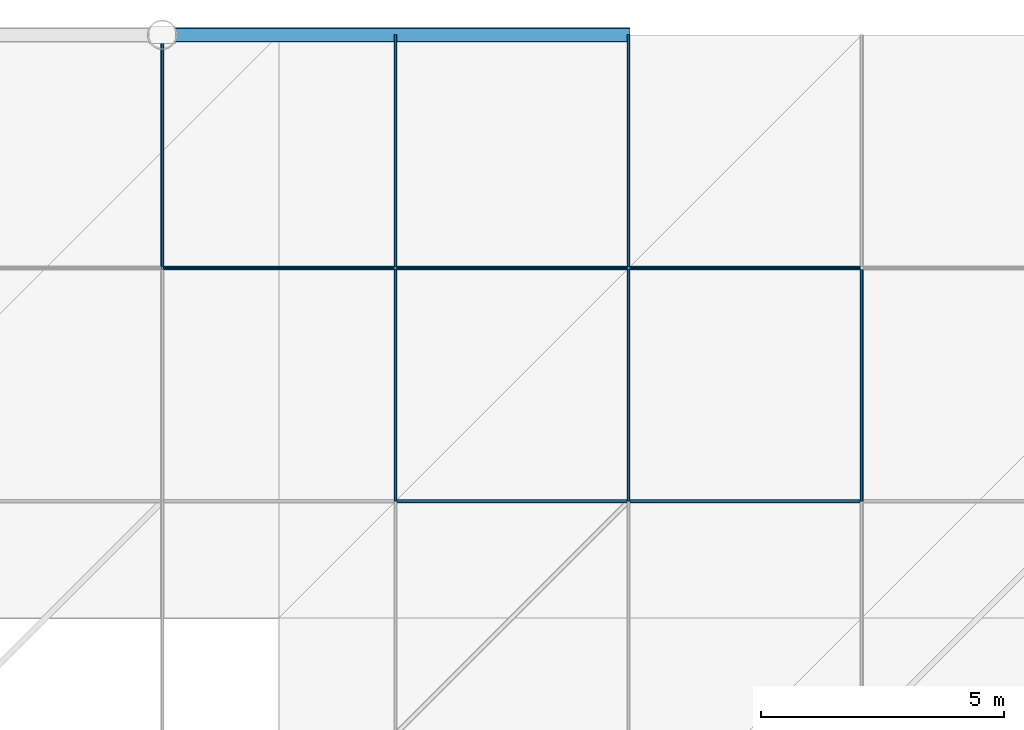
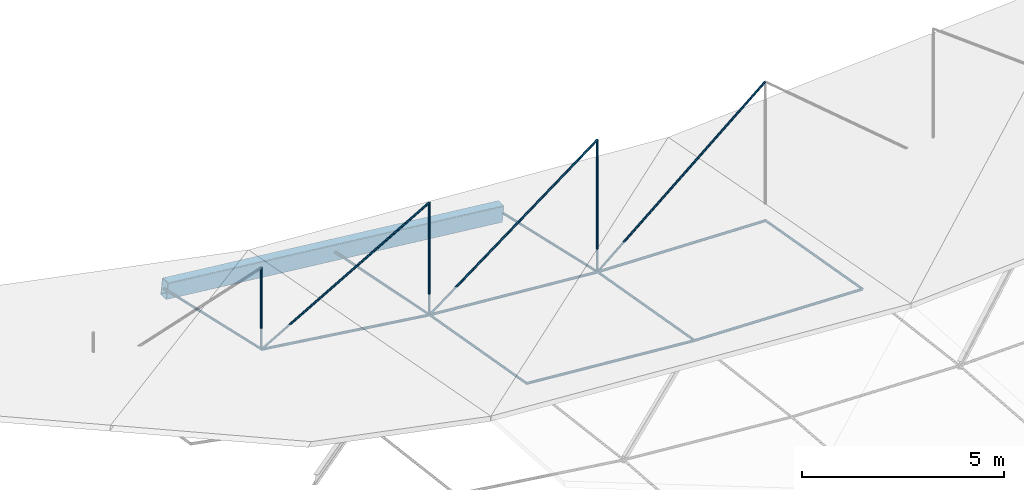
# One storey, part 23 of 40: 17 members, 1 beam.
"""IFC4 building model written with IfcOpenShell, lengths in metres."""

from ifc_helpers import new_model, si_unit, direction, frame, origin, origin_2d, place, context, subcontext, project, spatial, hollow_rectangle, circle, extrude, material, material_profile, profile_set, type_object, element, save


model = new_model("IFC4")

# Units and contexts
model_context = context("Model", 3, precision=1e-05, world=origin(), true_north=direction((0.0, 1.0)))
body_context = subcontext(model_context, "Body", "Model", "MODEL_VIEW")
ifc_project = project(units=[si_unit("LENGTHUNIT", "METRE"), si_unit("AREAUNIT", "SQUARE_METRE"), si_unit("VOLUMEUNIT", "CUBIC_METRE"), si_unit("PLANEANGLEUNIT", "RADIAN"), si_unit("MASSUNIT", "GRAM", prefix="KILO")], contexts=[model_context])

# Site, building, storey
site_placement = place(None, origin())
site = spatial("IfcSite", under=ifc_project, at=site_placement, CompositionType="ELEMENT")
building_placement = place(site_placement, origin())
building = spatial("IfcBuilding", under=site, at=building_placement, Name="Zevrakil Square Congress Hotel", CompositionType="ELEMENT")
storey_placement = place(building_placement, frame((0.0, 0.0, 18.10009765625)))
storey = spatial("IfcBuildingStorey", under=building, at=storey_placement, Name="L05", CompositionType="ELEMENT", Elevation=18.10009765625)

# Members
ifc_material_1 = material(Name="Steel S355", Category="steel")
ifc_material_profile_1 = material_profile(ifc_material_1, circle(Radius=0.030029296875, at=origin_2d()), Name="CABLE RD60")
ifc_profile_set_1 = profile_set([ifc_material_profile_1], Name="Steel S355")
member_type_1 = type_object("IfcMemberType", Name="MEM-CABLE-RD60", PredefinedType="USERDEFINED", material=ifc_profile_set_1)
member_1_placement = place(storey_placement, frame((127.199951171875, 108.0, 1.681884765625), z_axis=(0.0, 0.0, 1.0), x_axis=(1.0, 0.0, 0.0)))
element("IfcMember", 1, at=member_1_placement, inside=storey, type_object=member_type_1, Name="Congress cable-truss vertical tie CBW-09-2", ObjectType="ROOF CABLE", PredefinedType="USERDEFINED", context=body_context, shape_type="SweptSolid", body=[
    extrude(circle(Radius=0.030029296875, at=origin_2d()), origin(), (0.0, 0.0, 1.0), 2.46875),
])
member_2_placement = place(storey_placement, frame((127.199951171875, 108.0, 1.681884765625), z_axis=(0.867079197454, 0.0, 0.498170317605), x_axis=(0.0, 1.0, 0.0)))
element("IfcMember", 2, at=member_2_placement, inside=storey, type_object=member_type_1, Name="Congress cable-truss web diagonal CBD-09-3", ObjectType="ROOF CABLE", PredefinedType="USERDEFINED", context=body_context, shape_type="SweptSolid", body=[
    extrude(circle(Radius=0.030029296875, at=origin_2d()), origin(), (0.0, 0.0, 1.0), 5.535888671875),
])
member_3_placement = place(storey_placement, frame((132.0, 108.0, 1.0419921875), z_axis=(0.0, 0.0, 1.0), x_axis=(1.0, 0.0, 0.0)))
element("IfcMember", 3, at=member_3_placement, inside=storey, type_object=member_type_1, Name="Congress cable-truss vertical tie CBW-09-3", ObjectType="ROOF CABLE", PredefinedType="USERDEFINED", context=body_context, shape_type="SweptSolid", body=[
    extrude(circle(Radius=0.030029296875, at=origin_2d()), origin(), (0.0, 0.0, 1.0), 3.397705078125),
])
member_4_placement = place(storey_placement, frame((132.0, 108.0, 1.0419921875), z_axis=(0.799174909116, 0.0, 0.601098548192), x_axis=(0.0, 1.0, 0.0)))
element("IfcMember", 4, at=member_4_placement, inside=storey, type_object=member_type_1, Name="Congress cable-truss web diagonal CBD-09-4", ObjectType="ROOF CABLE", PredefinedType="USERDEFINED", context=body_context, shape_type="SweptSolid", body=[
    extrude(circle(Radius=0.030029296875, at=origin_2d()), origin(), (0.0, 0.0, 1.0), 6.00634765625),
])
member_5_placement = place(storey_placement, frame((136.800048828125, 108.0, 0.657958984375), z_axis=(0.0, 0.0, 1.0), x_axis=(1.0, 0.0, 0.0)))
element("IfcMember", 5, at=member_5_placement, inside=storey, type_object=member_type_1, Name="Congress cable-truss vertical tie CBW-09-4", ObjectType="ROOF CABLE", PredefinedType="USERDEFINED", context=body_context, shape_type="SweptSolid", body=[
    extrude(circle(Radius=0.030029296875, at=origin_2d()), origin(), (0.0, 0.0, 1.0), 3.994384765625),
])
member_6_placement = place(storey_placement, frame((136.800048828125, 108.0, 0.657958984375), z_axis=(0.76256769405, 0.0, 0.646908426279), x_axis=(0.0, 1.0, 0.0)))
element("IfcMember", 6, at=member_6_placement, inside=storey, type_object=member_type_1, Name="Congress cable-truss web diagonal CBD-09-5", ObjectType="ROOF CABLE", PredefinedType="USERDEFINED", context=body_context, shape_type="SweptSolid", body=[
    extrude(circle(Radius=0.030029296875, at=origin_2d()), origin(), (0.0, 0.0, 1.0), 6.294677734375),
])
ifc_material_2 = material(Name="Steel S355", Category="steel")
ifc_material_profile_2 = material_profile(ifc_material_2, circle(Radius=0.033935546875, at=origin_2d()), Name="CABLE RD68")
ifc_profile_set_2 = profile_set([ifc_material_profile_2], Name="Steel S355")
member_type_2 = type_object("IfcMemberType", Name="MEM-CABLE-RD68", PredefinedType="USERDEFINED", material=ifc_profile_set_2)
member_7_placement = place(storey_placement, frame((127.199951171875, 108.0, 1.69189453125), z_axis=(0.0, 0.975169384168, -0.221460317395), x_axis=(-1.0, 0.0, 0.0)))
element("IfcMember", 7, at=member_7_placement, inside=storey, type_object=member_type_2, Name="Congress saddle stabilizing cable CBH-02 seg 10", ObjectType="ROOF CABLE", PredefinedType="USERDEFINED", context=body_context, shape_type="SweptSolid", body=[
    extrude(circle(Radius=0.033935546875, at=origin_2d()), origin(), (0.0, 0.0, 1.0), 4.92236328125),
])
member_8_placement = place(storey_placement, frame((132.0, 103.199951171875, 1.891845703125), z_axis=(0.0, 0.985036208934, -0.172347518373), x_axis=(-1.0, 0.0, 0.0)))
element("IfcMember", 8, at=member_8_placement, inside=storey, type_object=member_type_2, Name="Congress saddle stabilizing cable CBH-03 seg 9", ObjectType="ROOF CABLE", PredefinedType="USERDEFINED", context=body_context, shape_type="SweptSolid", body=[
    extrude(circle(Radius=0.033935546875, at=origin_2d()), origin(), (0.0, 0.0, 1.0), 4.873046875),
])
member_9_placement = place(storey_placement, frame((132.0, 108.0, 1.052001953125), z_axis=(0.0, 0.980496189328, -0.196538094814), x_axis=(-1.0, 0.0, 0.0)))
element("IfcMember", 9, at=member_9_placement, inside=storey, type_object=member_type_2, Name="Congress saddle stabilizing cable CBH-03 seg 10", ObjectType="ROOF CABLE", PredefinedType="USERDEFINED", context=body_context, shape_type="SweptSolid", body=[
    extrude(circle(Radius=0.033935546875, at=origin_2d()), origin(), (0.0, 0.0, 1.0), 4.8955078125),
])
member_10_placement = place(storey_placement, frame((136.800048828125, 103.199951171875, 1.5078125), z_axis=(0.0, 0.985036208934, -0.172347518373), x_axis=(-1.0, 0.0, 0.0)))
element("IfcMember", 10, at=member_10_placement, inside=storey, type_object=member_type_2, Name="Congress saddle stabilizing cable CBH-04 seg 9", ObjectType="ROOF CABLE", PredefinedType="USERDEFINED", context=body_context, shape_type="SweptSolid", body=[
    extrude(circle(Radius=0.033935546875, at=origin_2d()), origin(), (0.0, 0.0, 1.0), 4.873046875),
])
member_11_placement = place(storey_placement, frame((136.800048828125, 108.0, 0.66796875), z_axis=(0.0, 0.975169384168, -0.221460317395), x_axis=(-1.0, 0.0, 0.0)))
element("IfcMember", 11, at=member_11_placement, inside=storey, type_object=member_type_2, Name="Congress saddle stabilizing cable CBH-04 seg 10", ObjectType="ROOF CABLE", PredefinedType="USERDEFINED", context=body_context, shape_type="SweptSolid", body=[
    extrude(circle(Radius=0.033935546875, at=origin_2d()), origin(), (0.0, 0.0, 1.0), 4.92236328125),
])
member_12_placement = place(storey_placement, frame((141.60009765625, 103.199951171875, 1.3798828125), z_axis=(0.0, 0.98502770223, -0.172396130582), x_axis=(-1.0, 0.0, 0.0)))
element("IfcMember", 12, at=member_12_placement, inside=storey, type_object=member_type_2, Name="Congress saddle stabilizing cable CBH-05 seg 9", ObjectType="ROOF CABLE", PredefinedType="USERDEFINED", context=body_context, shape_type="SweptSolid", body=[
    extrude(circle(Radius=0.033935546875, at=origin_2d()), origin(), (0.0, 0.0, 1.0), 4.873046875),
])
ifc_material_3 = material(Name="Steel S355", Category="steel")
ifc_material_profile_3 = material_profile(ifc_material_3, circle(Radius=0.0380859375, at=origin_2d()), Name="CABLE RD76")
ifc_profile_set_3 = profile_set([ifc_material_profile_3], Name="Steel S355")
member_type_3 = type_object("IfcMemberType", Name="MEM-CABLE-RD76", PredefinedType="USERDEFINED", material=ifc_profile_set_3)
member_13_placement = place(storey_placement, frame((132.0, 103.199951171875, 1.8818359375), z_axis=(0.996814794892, 0.0, -0.079751267604), x_axis=(0.0, 1.0, 0.0)))
element("IfcMember", 13, at=member_13_placement, inside=storey, type_object=member_type_3, Name="Congress saddle carrying cable CBS-08 seg 4", ObjectType="ROOF CABLE", PredefinedType="USERDEFINED", context=body_context, shape_type="SweptSolid", body=[
    extrude(circle(Radius=0.0380859375, at=origin_2d()), origin(), (0.0, 0.0, 1.0), 4.8154296875),
])
member_14_placement = place(storey_placement, frame((136.800048828125, 103.199951171875, 1.497802734375), z_axis=(0.999645031282, 0.0, -0.026642286577), x_axis=(0.0, 1.0, 0.0)))
element("IfcMember", 14, at=member_14_placement, inside=storey, type_object=member_type_3, Name="Congress saddle carrying cable CBS-08 seg 5", ObjectType="ROOF CABLE", PredefinedType="USERDEFINED", context=body_context, shape_type="SweptSolid", body=[
    extrude(circle(Radius=0.0380859375, at=origin_2d()), origin(), (0.0, 0.0, 1.0), 4.8017578125),
])
member_15_placement = place(storey_placement, frame((127.199951171875, 108.0, 1.681884765625), z_axis=(0.99123098262, 0.0, -0.132140603502), x_axis=(0.0, 1.0, 0.0)))
element("IfcMember", 15, at=member_15_placement, inside=storey, type_object=member_type_3, Name="Congress saddle carrying cable CBS-09 seg 3", ObjectType="ROOF CABLE", PredefinedType="USERDEFINED", context=body_context, shape_type="SweptSolid", body=[
    extrude(circle(Radius=0.0380859375, at=origin_2d()), origin(), (0.0, 0.0, 1.0), 4.842529296875),
])
member_16_placement = place(storey_placement, frame((132.0, 108.0, 1.0419921875), z_axis=(0.996814794892, 0.0, -0.079751267604), x_axis=(0.0, 1.0, 0.0)))
element("IfcMember", 16, at=member_16_placement, inside=storey, type_object=member_type_3, Name="Congress saddle carrying cable CBS-09 seg 4", ObjectType="ROOF CABLE", PredefinedType="USERDEFINED", context=body_context, shape_type="SweptSolid", body=[
    extrude(circle(Radius=0.0380859375, at=origin_2d()), origin(), (0.0, 0.0, 1.0), 4.8154296875),
])
member_17_placement = place(storey_placement, frame((136.800048828125, 108.0, 0.657958984375), z_axis=(0.999643675871, 0.0, -0.026693094442), x_axis=(0.0, 1.0, 0.0)))
element("IfcMember", 17, at=member_17_placement, inside=storey, type_object=member_type_3, Name="Congress saddle carrying cable CBS-09 seg 5", ObjectType="ROOF CABLE", PredefinedType="USERDEFINED", context=body_context, shape_type="SweptSolid", body=[
    extrude(circle(Radius=0.0380859375, at=origin_2d()), origin(), (0.0, 0.0, 1.0), 4.8017578125),
])

# Beam
ifc_material_4 = material(Name="Steel S355", Category="steel")
ifc_material_profile_4 = material_profile(ifc_material_4, hollow_rectangle(XDim=0.300048828125, YDim=0.5, WallThickness=0.02001953125, InnerFilletRadius=0.02001953125, OuterFilletRadius=0.0400390625, at=origin_2d()), Name="RHS 500x300x20")
ifc_profile_set_4 = profile_set([ifc_material_profile_4], Name="Steel S355")
beam_type = type_object("IfcBeamType", Name="RNG-RHS500", PredefinedType="USERDEFINED", material=ifc_profile_set_4)
beam_placement = place(storey_placement, frame((136.800048828125, 112.800048828125, -0.422119140625), z_axis=(-0.994360125075, 0.0, 0.10605631363), x_axis=(0.0, -1.0, 0.0)))
element("IfcBeam", 18, at=beam_placement, inside=storey, type_object=beam_type, Name="Congress Hall compression ring beam RB-14", ObjectType="RING BEAM", PredefinedType="USERDEFINED", context=body_context, shape_type="SweptSolid", body=[
    extrude(hollow_rectangle(XDim=0.300048828125, YDim=0.5, WallThickness=0.02001953125, InnerFilletRadius=0.02001953125, OuterFilletRadius=0.0400390625, at=origin_2d()), origin(), (0.0, 0.0, 1.0), 9.654541015625),
])

save(model, "model.ifc")
